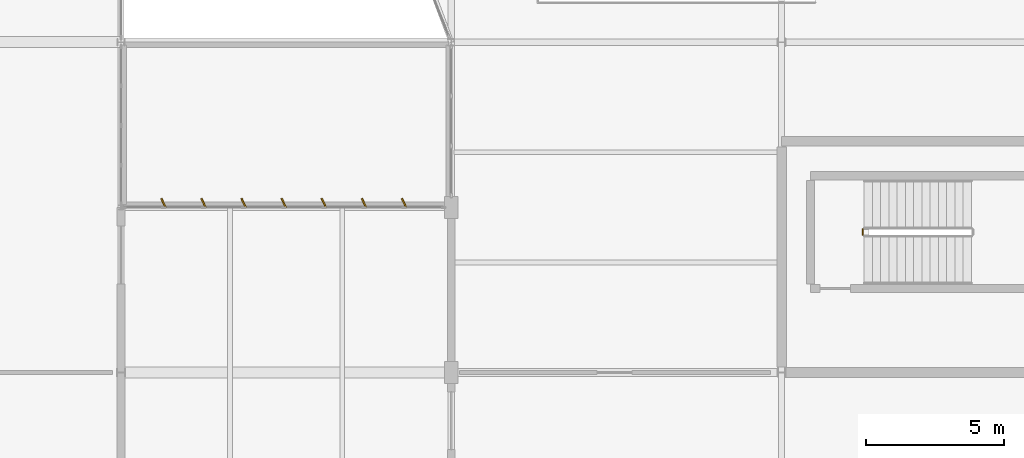
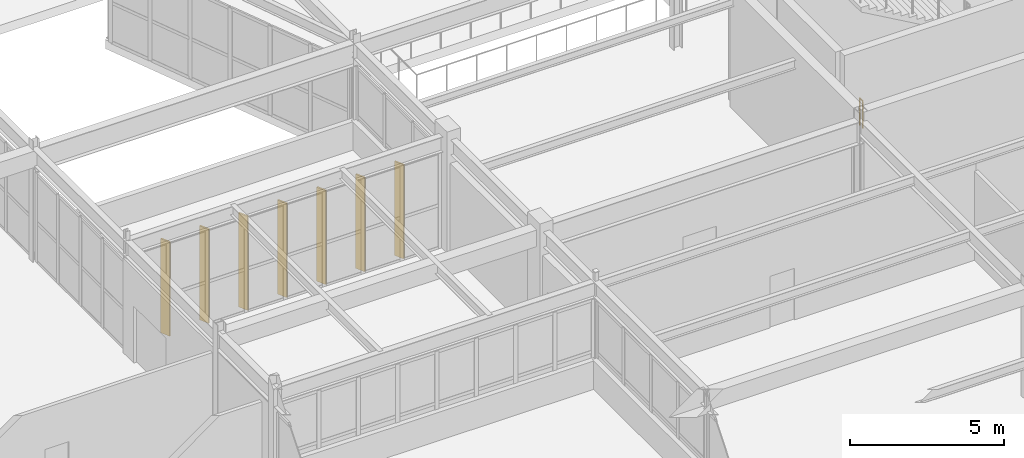
# One storey, part 216 of 226: 7 shading devices, 1 railing.
"""IFC4 building model written with IfcOpenShell, lengths in metres."""

import ifcopenshell
import ifcopenshell.guid

model = None  # the IFC model being written
_history = None  # IfcOwnerHistory: only IFC2X3 demands one
_inside = {}  # id of a spatial element -> (the spatial element, [elements in it])
_under = {}  # id of a project, library or spatial element -> (it, [spatial elements below it])
_declared = {}  # id of a project -> (the project, [libraries it declares])
_typed = {}  # id of a type object -> (the type object, [elements of that type])
_made_of = {}  # id of a material, layer set ... -> (it, [elements and type objects made of it])


def new_model(schema):
    """Start an empty IFC model of exactly this schema.

    Asked for "IFC4X3", IfcOpenShell would pick the latest addendum, in which some entities
    have other attributes; the version numbers below select the first issue.
    IFC2X3 requires an IfcOwnerHistory on every rooted entity: one is made here for all.
    """
    global model, _history
    if schema == "IFC4X3":
        model = ifcopenshell.file(schema_version=(4, 3, 0, 0))
    else:
        model = ifcopenshell.file(schema=schema)
    _inside.clear()
    _under.clear()
    _declared.clear()
    _typed.clear()
    _made_of.clear()
    _history = None
    if model.schema == "IFC2X3":
        org = make("IfcOrganization", Name="unknown")
        user = make(
            "IfcPersonAndOrganization",
            ThePerson=make("IfcPerson", FamilyName="unknown"),
            TheOrganization=org,
        )
        app = make(
            "IfcApplication",
            ApplicationDeveloper=org,
            Version="unknown",
            ApplicationFullName="unknown",
            ApplicationIdentifier="unknown",
        )
        _history = make(
            "IfcOwnerHistory",
            OwningUser=user,
            OwningApplication=app,
            ChangeAction="ADDED",
            CreationDate=0,
        )
    return model


def make(cls, **values):
    """One entity of the class cls with the attributes given. An attribute that is None is left unset."""
    return model.create_entity(
        cls, **{name: value for name, value in values.items() if value is not None}
    )


def rooted(cls, **values):
    """An entity with a GlobalId (a new one), such as an element, a storey or a relation."""
    return make(cls, GlobalId=ifcopenshell.guid.new(), OwnerHistory=_history, **values)


def si_unit(unit_type, name, prefix=None):
    """IfcSIUnit, for example si_unit("LENGTHUNIT", "METRE", prefix="MILLI")."""
    return make("IfcSIUnit", UnitType=unit_type, Prefix=prefix, Name=name)


def assignment(units):
    """IfcUnitAssignment: the units of a project."""
    return None if units is None else make("IfcUnitAssignment", Units=units)


def point(xyz):
    """IfcCartesianPoint."""
    return None if xyz is None else make("IfcCartesianPoint", Coordinates=xyz)


def direction(xyz):
    """IfcDirection."""
    return None if xyz is None else make("IfcDirection", DirectionRatios=xyz)


def frame(location, z_axis=None, x_axis=None):
    """IfcAxis2Placement3D, a coordinate frame: its origin and axes. An axis left out is left unset."""
    return make(
        "IfcAxis2Placement3D",
        Location=point(location),
        Axis=direction(z_axis),
        RefDirection=direction(x_axis),
    )


def frame_2d(location, x_axis=None):
    """IfcAxis2Placement2D, a coordinate frame in the plane: its origin and x axis."""
    return make(
        "IfcAxis2Placement2D", Location=point(location), RefDirection=direction(x_axis)
    )


def origin():
    """The frame at (0, 0, 0) with its axes left unset."""
    return frame((0.0, 0.0, 0.0))


def origin_2d():
    """The frame at (0, 0) in the plane with its x axis left unset."""
    return frame_2d((0.0, 0.0))


def place(relative_to, where):
    """IfcLocalPlacement: puts the frame where relative to a parent placement (None: the world)."""
    return make(
        "IfcLocalPlacement", PlacementRelTo=relative_to, RelativePlacement=where
    )


def context(
    kind, dimensions, precision=None, world=None, true_north=None, identifier=None
):
    """IfcGeometricRepresentationContext, for example the 3D "Model" context."""
    return make(
        "IfcGeometricRepresentationContext",
        ContextIdentifier=identifier,
        ContextType=kind,
        CoordinateSpaceDimension=dimensions,
        Precision=precision,
        WorldCoordinateSystem=world,
        TrueNorth=true_north,
    )


def subcontext(parent, identifier, kind, view, scale=None):
    """IfcGeometricRepresentationSubContext, for example "Body" below "Model"."""
    return make(
        "IfcGeometricRepresentationSubContext",
        ContextIdentifier=identifier,
        ContextType=kind,
        ParentContext=parent,
        TargetScale=scale,
        TargetView=view,
    )


def project(units=None, contexts=None):
    """IfcProject with its units and contexts."""
    return rooted(
        "IfcProject",
        Name="project",
        RepresentationContexts=contexts,
        UnitsInContext=assignment(units),
    )


def spatial(cls, under=None, at=None, **own):
    """A site, building, storey or space (cls), placed at a placement, below another one or the project."""
    s = rooted(cls, ObjectPlacement=at, **own)
    if under is not None:
        _under.setdefault(under.id(), (under, []))[1].append(s)
    return s


def profile(cls, at=None, kind="AREA", **sizes):
    """A parametric profile (cls). Its sizes go by their IFC names, for example OverallWidth=200.0."""
    return make(cls, ProfileType=kind, Position=at, **sizes)


def rectangle(**sizes):
    """IfcRectangleProfileDef."""
    return profile("IfcRectangleProfileDef", **sizes)


def circle(**sizes):
    """IfcCircleProfileDef."""
    return profile("IfcCircleProfileDef", **sizes)


def extrude(swept, where, along, depth):
    """IfcExtrudedAreaSolid: the profile swept, set in the frame where, extruded along a direction by depth."""
    return make(
        "IfcExtrudedAreaSolid",
        SweptArea=swept,
        Position=where,
        ExtrudedDirection=direction(along),
        Depth=depth,
    )


def shape(context_of_items, identifier, shape_type, items):
    """IfcShapeRepresentation: the items that make up one representation, for example the "Body"."""
    return make(
        "IfcShapeRepresentation",
        ContextOfItems=context_of_items,
        RepresentationIdentifier=identifier,
        RepresentationType=shape_type,
        Items=items,
    )


def material(Name=None, Category=None):
    """IfcMaterial."""
    return make("IfcMaterial", Name=Name, Category=Category)


def layer(
    of_material, thickness, ventilated=None, Name=None, Category=None, Priority=None
):
    """IfcMaterialLayer: one layer of a wall or slab, of a material (None: an air gap)."""
    return make(
        "IfcMaterialLayer",
        Material=of_material,
        LayerThickness=thickness,
        IsVentilated=ventilated,
        Name=Name,
        Category=Category,
        Priority=Priority,
    )


def layer_set(layers, Name=None):
    """IfcMaterialLayerSet."""
    return make("IfcMaterialLayerSet", MaterialLayers=layers, LayerSetName=Name)


def made_of(thing, what):
    """Note that an element or type object is made of a material, layer set ...; save() writes the relation."""
    if what is not None:
        _made_of.setdefault(what.id(), (what, []))[1].append(thing)
    return thing


def type_object(cls, material=None, **own):
    """A type object (cls), such as IfcWallType, which elements share."""
    return made_of(rooted(cls, **own), material)


def element(
    cls,
    number,
    at=None,
    inside=None,
    cuts=None,
    type_object=None,
    material=None,
    context=None,
    identifier="Body",
    shape_type=None,
    held_by="IfcProductDefinitionShape",
    body=None,
    shapes=None,
    **own,
):
    """One element of the class cls, such as IfcWall. Its Tag is "e" and its number.

    at: its placement. inside: the storey or other place that contains it. cuts: it is an
    opening in that element (IfcRelVoidsElement). A single representation is given by context,
    identifier, shape_type and body (its items); several are given by shapes. held_by: the class
    of the entity that holds the representations. save() writes the other relations.
    """
    e = rooted(cls, Tag="e%d" % number, ObjectPlacement=at, **own)
    if body is not None:
        shapes = [shape(context, identifier, shape_type, body)]
    if shapes is not None:
        e.Representation = make(held_by, Representations=shapes)
    if inside is not None:
        _inside.setdefault(inside.id(), (inside, []))[1].append(e)
    if cuts is not None:
        rooted(
            "IfcRelVoidsElement", RelatingBuildingElement=cuts, RelatedOpeningElement=e
        )
    if type_object is not None:
        _typed.setdefault(type_object.id(), (type_object, []))[1].append(e)
    return made_of(e, material)


def aggregate(whole, parts):
    """IfcRelAggregates: a whole, such as a stair, and the parts it consists of."""
    return rooted("IfcRelAggregates", RelatingObject=whole, RelatedObjects=parts)


def save(model, path):
    """Write the relations noted so far, then the file.

    IfcRelAggregates (storeys below a building ...), IfcRelContainedInSpatialStructure (elements
    in a storey), IfcRelDefinesByType, IfcRelAssociatesMaterial and IfcRelDeclares: one each for
    every whole, place, type object, material and project.
    """
    for whole, parts in _under.values():
        aggregate(whole, parts)
    for where, things in _inside.values():
        rooted(
            "IfcRelContainedInSpatialStructure",
            RelatedElements=things,
            RelatingStructure=where,
        )
    for kind, things in _typed.values():
        rooted("IfcRelDefinesByType", RelatedObjects=things, RelatingType=kind)
    for what, things in _made_of.values():
        rooted("IfcRelAssociatesMaterial", RelatedObjects=things, RelatingMaterial=what)
    for by, libraries in _declared.values():
        rooted("IfcRelDeclares", RelatingContext=by, RelatedDefinitions=libraries)
    model.write(path)


model = new_model("IFC4")

# Units and contexts
model_context = context("Model", 3, precision=1e-05, world=origin(), true_north=direction((0.0, 1.0)))
body_context = subcontext(model_context, "Body", "Model", "MODEL_VIEW")
ifc_project = project(units=[si_unit("LENGTHUNIT", "METRE"), si_unit("AREAUNIT", "SQUARE_METRE"), si_unit("VOLUMEUNIT", "CUBIC_METRE"), si_unit("PLANEANGLEUNIT", "RADIAN"), si_unit("MASSUNIT", "GRAM", prefix="KILO")], contexts=[model_context])

# Site, building, storey
site_placement = place(None, origin())
site = spatial("IfcSite", under=ifc_project, at=site_placement, CompositionType="ELEMENT")
building_placement = place(site_placement, origin())
building = spatial("IfcBuilding", under=site, at=building_placement, Name="Tarnwether General Hospital", CompositionType="ELEMENT")
storey_placement = place(building_placement, frame((0.0, 0.0, 4.800048828125)))
storey = spatial("IfcBuildingStorey", under=building, at=storey_placement, Name="L01", CompositionType="ELEMENT", Elevation=4.800048828125)

# Railing
ifc_material_1 = material(Name="Anodised aluminium", Category="aluminium")
railing_type = type_object("IfcRailingType", Name="RL-GRD-INT", PredefinedType="GUARDRAIL", material=ifc_material_1)
railing_placement = place(storey_placement, frame((158.949951171875, 26.60009765625, 0.0)))
element("IfcRailing", 1, at=railing_placement, inside=storey, type_object=railing_type, Name="L01 ST-05 stair guard 4", PredefinedType="GUARDRAIL", context=body_context, shape_type="SweptSolid", body=[
    extrude(circle(Radius=0.02392578125, at=origin_2d()), frame((0.0, 0.0, 1.076171875), z_axis=(0.0, 1.0, 0.0), x_axis=(-1.0, 0.0, 0.0)), (0.0, 0.0, 1.0), 0.199951171875),
    extrude(circle(Radius=0.02099609375, at=origin_2d()), origin(), (0.0, 0.0, 1.0), 1.052001953125),
    extrude(circle(Radius=0.02099609375, at=origin_2d()), frame((0.0, 0.199951171875, 0.0)), (0.0, 0.0, 1.0), 1.052001953125),
])

# Shading devices
ifc_material_2 = material(Name="Champagne-bronze anodised aluminium", Category="aluminium")
ifc_layer = layer(ifc_material_2, 0.06005859375)
ifc_layer_set = layer_set([ifc_layer], Name="Champagne-bronze anodised aluminium")
shading_device_type = type_object("IfcShadingDeviceType", Name="SH-FIN-BRZ", PredefinedType="USERDEFINED", material=ifc_layer_set)
for number, where, z_axis, x_axis, name in (
    (2, (133.5419921875, 27.760009765625, 0.0498046875), (0.0, 0.0, 1.0), (0.906307787037, 0.422618261741, 0.0), "Champagne-Bronze Brise-Soleil Fin 0366"),
    (3, (134.9990234375, 27.760009765625, 0.0498046875), (0.0, 0.0, 1.0), (0.906307787037, 0.422618261741, 0.0), "Champagne-Bronze Brise-Soleil Fin 0367"),
    (4, (136.4560546875, 27.760009765625, 0.0498046875), (0.0, 0.0, 1.0), (0.906307787037, 0.422618261741, 0.0), "Champagne-Bronze Brise-Soleil Fin 0368"),
    (5, (137.9130859375, 27.760009765625, 0.0498046875), (0.0, 0.0, 1.0), (0.906307787037, 0.422618261741, 0.0), "Champagne-Bronze Brise-Soleil Fin 0369"),
    (6, (139.3701171875, 27.760009765625, 0.0498046875), (0.0, 0.0, 1.0), (0.906307787037, 0.422618261741, 0.0), "Champagne-Bronze Brise-Soleil Fin 0370"),
    (7, (140.827880859375, 27.760009765625, 0.0498046875), (0.0, 0.0, 1.0), (0.906307787037, 0.422618261741, 0.0), "Champagne-Bronze Brise-Soleil Fin 0371"),
    (8, (142.284912109375, 27.760009765625, 0.0498046875), (0.0, 0.0, 1.0), (0.906307787037, 0.422618261741, 0.0), "Champagne-Bronze Brise-Soleil Fin 0372"),
):
    element("IfcShadingDevice", number, at=place(storey_placement, frame(where, z_axis=z_axis, x_axis=x_axis)), inside=storey, type_object=shading_device_type, Name=name, ObjectType="SOLAR FIN", PredefinedType="USERDEFINED", context=body_context, shape_type="SweptSolid", body=[
        extrude(rectangle(XDim=0.06005859375, YDim=0.360107421875, at=origin_2d()), origin(), (0.0, 0.0, 1.0), 3.718017578125),
    ])

save(model, "model.ifc")
